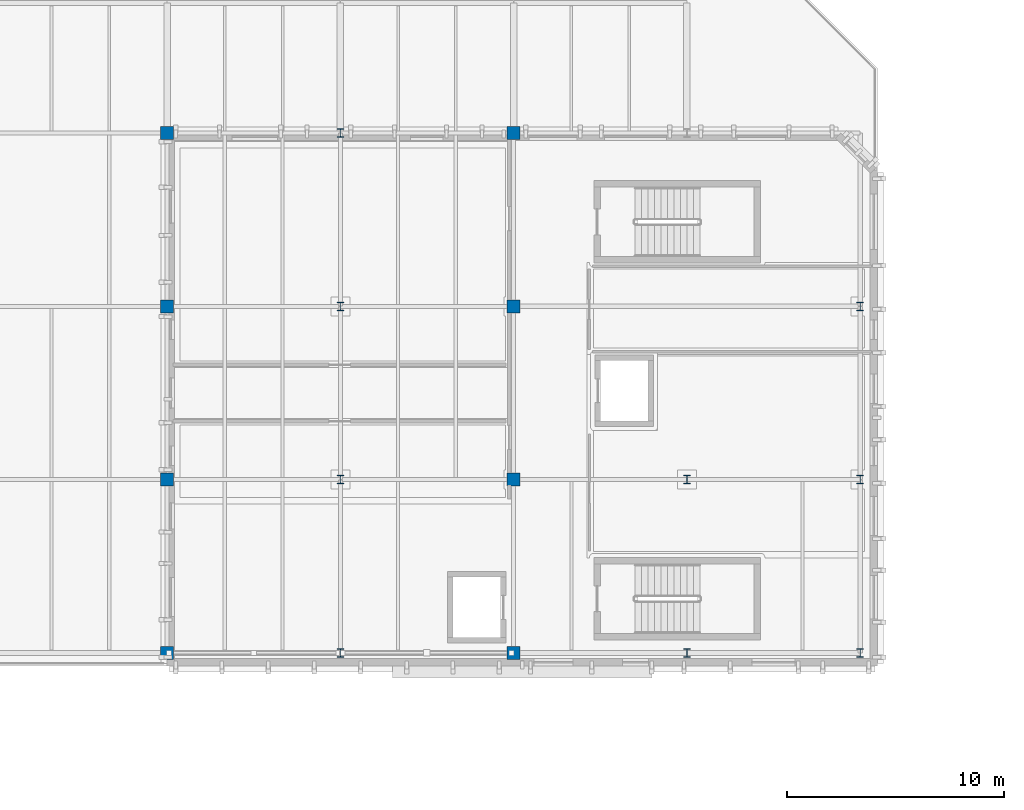
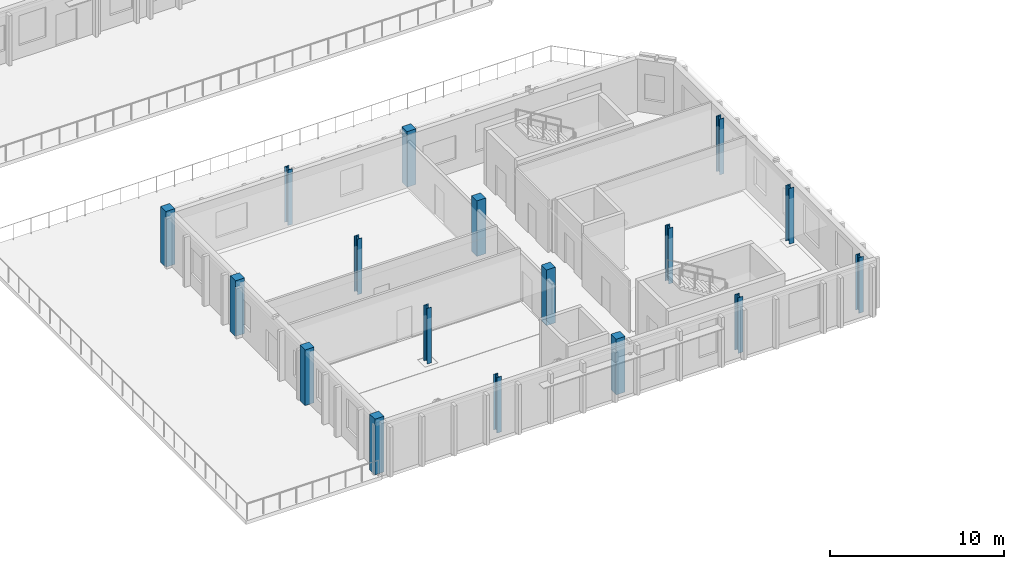
# One storey, part 1 of 43: 17 columns.
"""IFC4 building model written with IfcOpenShell, lengths in metres."""

from ifc_helpers import new_model, si_unit, direction, frame, origin, origin_2d, place, context, subcontext, project, spatial, rectangle, i_section, extrude, material, material_profile, profile_set, type_object, element, save


model = new_model("IFC4")

# Units and contexts
model_context = context("Model", 3, precision=1e-05, world=origin(), true_north=direction((0.0, 1.0)))
body_context = subcontext(model_context, "Body", "Model", "MODEL_VIEW")
ifc_project = project(units=[si_unit("LENGTHUNIT", "METRE"), si_unit("AREAUNIT", "SQUARE_METRE"), si_unit("VOLUMEUNIT", "CUBIC_METRE"), si_unit("PLANEANGLEUNIT", "RADIAN"), si_unit("MASSUNIT", "GRAM", prefix="KILO")], contexts=[model_context])

# Site, building, storey
site_placement = place(None, origin())
site = spatial("IfcSite", under=ifc_project, at=site_placement, CompositionType="ELEMENT")
building_placement = place(site_placement, origin())
building = spatial("IfcBuilding", under=site, at=building_placement, Name="Cymarion Research Institute", CompositionType="ELEMENT")
storey_placement = place(building_placement, frame((0.0, 0.0, 22.800048828125)))
storey = spatial("IfcBuildingStorey", under=building, at=storey_placement, Name="L05", CompositionType="ELEMENT", Elevation=22.800048828125)

# Columns
ifc_material_1 = material(Name="Steel S355", Category="steel")
ifc_material_profile_1 = material_profile(ifc_material_1, i_section(OverallWidth=0.300048828125, OverallDepth=0.39990234375, WebThickness=0.013427734375, FlangeThickness=0.02392578125, FilletRadius=0.027099609375, at=origin_2d()), Name="HEB 400")
ifc_profile_set_1 = profile_set([ifc_material_profile_1], Name="Steel S355")
column_type_1 = type_object("IfcColumnType", Name="STRUCTURAL COLUMN C06 HEB 400", PredefinedType="COLUMN", material=ifc_profile_set_1)
for number, where, z_axis, x_axis, name in (
    (1, (22.60009765625, 47.5, 0.0), (0.0, 0.0, 1.0), (1.0, 0.0, 0.0), "L05 V4 column C06 #1118"),
    (2, (22.60009765625, 55.5, 0.0), (0.0, 0.0, 1.0), (1.0, 0.0, 0.0), "L05 V4 column C06 #1119"),
    (3, (22.60009765625, 63.5, 0.0), (0.0, 0.0, 1.0), (1.0, 0.0, 0.0), "L05 V4 column C06 #1120"),
    (4, (22.60009765625, 71.5, 0.0), (0.0, 0.0, 1.0), (1.0, 0.0, 0.0), "L05 V4 column C06 #1121"),
    (5, (38.60009765625, 47.5, 0.0), (0.0, 0.0, 1.0), (1.0, 0.0, 0.0), "L05 V4 column C06 #1134"),
    (6, (38.60009765625, 55.5, 0.0), (0.0, 0.0, 1.0), (1.0, 0.0, 0.0), "L05 V4 column C06 #1135"),
    (7, (46.60009765625, 47.5, 0.0), (0.0, 0.0, 1.0), (1.0, 0.0, 0.0), "L05 V4 column C06 #1141"),
    (8, (46.60009765625, 55.5, 0.0), (0.0, 0.0, 1.0), (1.0, 0.0, 0.0), "L05 V4 column C06 #1142"),
    (9, (46.60009765625, 63.5, 0.0), (0.0, 0.0, 1.0), (1.0, 0.0, 0.0), "L05 V4 column C06 #1143"),
):
    element("IfcColumn", number, at=place(storey_placement, frame(where, z_axis=z_axis, x_axis=x_axis)), inside=storey, type_object=column_type_1, Name=name, PredefinedType="COLUMN", context=body_context, shape_type="SweptSolid", body=[
        extrude(i_section(OverallWidth=0.300048828125, OverallDepth=0.39990234375, WebThickness=0.013427734375, FlangeThickness=0.02392578125, FilletRadius=0.027099609375, at=origin_2d()), origin(), (0.0, 0.0, 1.0), 3.89990234375),
    ])
ifc_material_2 = material(Name="Concrete C40/50", Category="concrete")
ifc_material_profile_2 = material_profile(ifc_material_2, rectangle(XDim=0.60009765625, YDim=0.60009765625, at=origin_2d()), Name="RC 600x600")
ifc_profile_set_2 = profile_set([ifc_material_profile_2], Name="Concrete C40/50")
column_type_2 = type_object("IfcColumnType", Name="STRUCTURAL COLUMN C18 RC 600x600", PredefinedType="COLUMN", material=ifc_profile_set_2)
for number, where, z_axis, x_axis, name in (
    (10, (14.60009765625, 47.5, 0.0), (0.0, 0.0, 1.0), (1.0, 0.0, 0.0), "L05 V4 column C18 #1111"),
    (11, (14.60009765625, 55.5, 0.0), (0.0, 0.0, 1.0), (1.0, 0.0, 0.0), "L05 V4 column C18 #1112"),
    (12, (14.60009765625, 63.5, 0.0), (0.0, 0.0, 1.0), (1.0, 0.0, 0.0), "L05 V4 column C18 #1113"),
    (13, (14.60009765625, 71.5, 0.0), (0.0, 0.0, 1.0), (1.0, 0.0, 0.0), "L05 V4 column C18 #1114"),
    (14, (30.60009765625, 47.5, 0.0), (0.0, 0.0, 1.0), (1.0, 0.0, 0.0), "L05 V4 column C18 #1126"),
    (15, (30.60009765625, 55.5, 0.0), (0.0, 0.0, 1.0), (1.0, 0.0, 0.0), "L05 V4 column C18 #1127"),
    (16, (30.60009765625, 63.5, 0.0), (0.0, 0.0, 1.0), (1.0, 0.0, 0.0), "L05 V4 column C18 #1128"),
    (17, (30.60009765625, 71.5, 0.0), (0.0, 0.0, 1.0), (1.0, 0.0, 0.0), "L05 V4 column C18 #1129"),
):
    element("IfcColumn", number, at=place(storey_placement, frame(where, z_axis=z_axis, x_axis=x_axis)), inside=storey, type_object=column_type_2, Name=name, PredefinedType="COLUMN", context=body_context, shape_type="SweptSolid", body=[
        extrude(rectangle(XDim=0.60009765625, YDim=0.60009765625, at=origin_2d()), origin(), (0.0, 0.0, 1.0), 3.89990234375),
    ])

save(model, "model.ifc")
